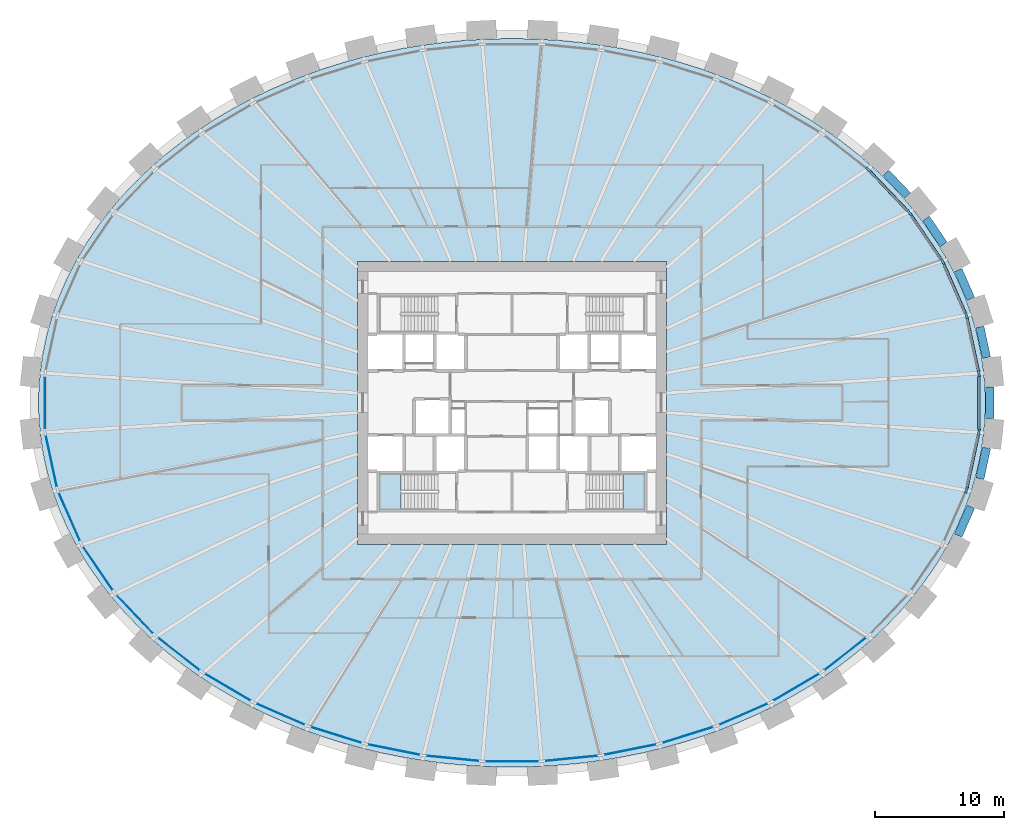
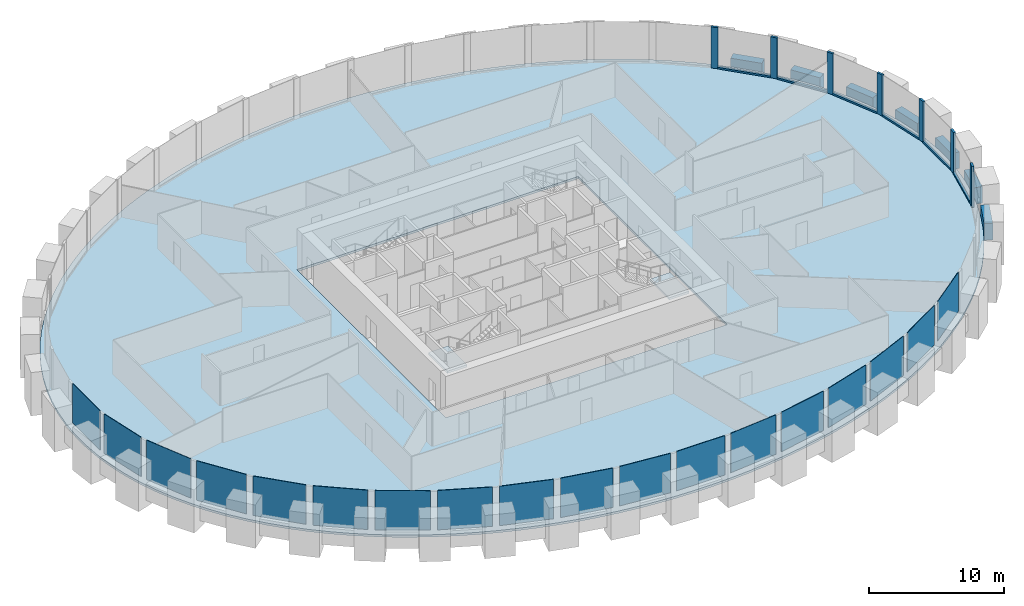
# One storey, part 4 of 10: 18 plates, 13 members, 7 beams, 3 slabs, 3 elements without a shape of their own.
"""IFC4 building model written with IfcOpenShell, lengths in metres."""

from ifc_helpers import new_model, si_unit, direction, frame, origin, origin_2d, place, context, subcontext, project, spatial, polyline, rectangle, outline, extrude, source, transform, mapped, material, layer, layer_set, material_profile, profile_set, type_object, element, aggregate, save


model = new_model("IFC4")

# Units and contexts
model_context = context("Model", 3, precision=1e-05, world=origin(), true_north=direction((0.0, 1.0)))
body_context = subcontext(model_context, "Body", "Model", "MODEL_VIEW")
ifc_project = project(units=[si_unit("LENGTHUNIT", "METRE"), si_unit("AREAUNIT", "SQUARE_METRE"), si_unit("VOLUMEUNIT", "CUBIC_METRE"), si_unit("PLANEANGLEUNIT", "RADIAN"), si_unit("MASSUNIT", "GRAM", prefix="KILO")], contexts=[model_context])

# Site, building, storey
site_placement = place(None, origin())
site = spatial("IfcSite", under=ifc_project, at=site_placement, CompositionType="ELEMENT")
building_placement = place(site_placement, origin())
building = spatial("IfcBuilding", under=site, at=building_placement, Name="Embergate Tower", CompositionType="ELEMENT")
storey_placement = place(building_placement, frame((0.0, 0.0, 163.800048828125)))
storey = spatial("IfcBuildingStorey", under=building, at=storey_placement, Name="L36", CompositionType="ELEMENT", Elevation=163.800048828125)

# Beams
ifc_material_1 = material(Name="Concrete C70", Category="concrete")
ifc_material_profile_1 = material_profile(ifc_material_1, rectangle(XDim=0.64990234375, YDim=1.5, at=origin_2d()), Name="RC 650x1500")
ifc_profile_set_1 = profile_set([ifc_material_profile_1], Name="Concrete C70")
beam_type = type_object("IfcBeamType", Name="Spandrel beam RC 650x1500 C70", PredefinedType="BEAM", material=ifc_profile_set_1)
shared_shape_1 = source(origin(), body_context, "Body", "SweptSolid", [
    extrude(rectangle(XDim=0.64990234375, YDim=1.5, at=origin_2d()), origin(), (0.0, 0.0, 1.0), 2.439697265625),
])
for number, where, z_axis, x_axis, name in (
    (1, (36.87109375, 3.508056640625, 0.0), (-0.210738503873, 0.977542471193, 0.0), (-0.977542471193, -0.210738503873, 0.0), "SPN-L36-00"),
    (2, (36.35693359375, -5.89306640625, 0.0), (0.210738503873, 0.977542471193, 0.0), (-0.977542471193, 0.210738503873, 0.0), "SPN-L36-42"),
):
    element("IfcBeam", number, at=place(storey_placement, frame(where, z_axis=z_axis, x_axis=x_axis)), inside=storey, type_object=beam_type, Name=name, PredefinedType="BEAM", context=body_context, shape_type="MappedRepresentation", body=[
        mapped(shared_shape_1, transform((0.0, 0.0, 0.0))),
    ])
shared_shape_2 = source(origin(), body_context, "Body", "SweptSolid", [
    extrude(rectangle(XDim=0.64990234375, YDim=1.5, at=origin_2d()), origin(), (0.0, 0.0, 1.0), 2.436279296875),
])
for number, where, z_axis, x_axis, name in (
    (3, (35.64990234375, 8.0810546875, 0.0), (-0.401838418441, 0.915710590452, 0.0), (-0.915710590452, -0.401838418441, 0.0), "SPN-L36-01"),
    (4, (34.6708984375, -10.31201171875, 0.0), (0.401838418441, 0.915710590452, 0.0), (-0.915710590452, 0.401838418441, 0.0), "SPN-L36-41"),
):
    element("IfcBeam", number, at=place(storey_placement, frame(where, z_axis=z_axis, x_axis=x_axis)), inside=storey, type_object=beam_type, Name=name, PredefinedType="BEAM", context=body_context, shape_type="MappedRepresentation", body=[
        mapped(shared_shape_2, transform((0.0, 0.0, 0.0))),
    ])
shared_shape_3 = source(origin(), body_context, "Body", "SweptSolid", [
    extrude(rectangle(XDim=0.64990234375, YDim=1.5, at=origin_2d()), origin(), (0.0, 0.0, 1.0), 2.42724609375),
])
beam_1_placement = place(storey_placement, frame((33.5400390625, 12.31494140625, 0.0), z_axis=(-0.562359541569, 0.826892826191, 0.0), x_axis=(-0.826892826191, -0.562359541569, 0.0)))
element("IfcBeam", 5, at=beam_1_placement, inside=storey, type_object=beam_type, Name="SPN-L36-02", PredefinedType="BEAM", context=body_context, shape_type="MappedRepresentation", body=[
    mapped(shared_shape_3, transform((0.0, 0.0, 0.0))),
])
shared_shape_4 = source(origin(), body_context, "Body", "SweptSolid", [
    extrude(rectangle(XDim=0.64990234375, YDim=1.5, at=origin_2d()), origin(), (0.0, 0.0, 1.0), 2.421630859375),
])
beam_2_placement = place(storey_placement, frame((30.72998046875, 16.111083984375, 0.0), z_axis=(-0.68996725843, 0.723840577955, 0.0), x_axis=(-0.723840577955, -0.68996725843, 0.0)))
element("IfcBeam", 6, at=beam_2_placement, inside=storey, type_object=beam_type, Name="SPN-L36-03", PredefinedType="BEAM", context=body_context, shape_type="MappedRepresentation", body=[
    mapped(shared_shape_4, transform((0.0, 0.0, 0.0))),
])
shared_shape_5 = source(origin(), body_context, "Body", "SweptSolid", [
    extrude(rectangle(XDim=0.64990234375, YDim=1.5, at=origin_2d()), origin(), (0.0, 0.0, 1.0), 2.44189453125),
])
beam_3_placement = place(storey_placement, frame((37.114013671875, -1.220947265625, 0.0), z_axis=(0.0, 1.0, 0.0), x_axis=(-1.0, 0.0, 0.0)))
element("IfcBeam", 7, at=beam_3_placement, inside=storey, type_object=beam_type, Name="SPN-L36-43", PredefinedType="BEAM", context=body_context, shape_type="MappedRepresentation", body=[
    mapped(shared_shape_5, transform((0.0, 0.0, 0.0))),
])

# Curtain wall, members
ifc_material_2 = material(Name="Aluminium and glass", Category="aluminium")
curtain_wall_type = type_object("IfcCurtainWallType", Name="Recessed office glazing", PredefinedType="NOTDEFINED", material=ifc_material_2)
curtain_wall_placement = place(storey_placement, origin())
curtain_wall = element("IfcCurtainWall", 8, at=curtain_wall_placement, inside=storey, type_object=curtain_wall_type, Name="Recessed office glazing ring", ObjectType="RECESSED OFFICE GLAZING", PredefinedType="USERDEFINED")
ifc_material_3 = material(Name="Aluminium, thermally broken", Category="aluminium")
ifc_material_profile_2 = material_profile(ifc_material_3, rectangle(XDim=0.179931640625, YDim=0.52001953125, at=origin_2d()), Name="AL 520x180")
ifc_profile_set_2 = profile_set([ifc_material_profile_2], Name="Aluminium, thermally broken")
member_type_1 = type_object("IfcMemberType", Name="Office mullion", PredefinedType="MULLION", material=ifc_profile_set_2)
shared_shape_6 = source(origin(), body_context, "Body", "SweptSolid", [
    extrude(rectangle(XDim=0.179931640625, YDim=0.52001953125, at=origin_2d()), origin(), (0.0, 0.0, 1.0), 3.699951171875),
])
member_1_placement = place(storey_placement, frame((36.281494140625, 2.287841796875, 0.0), z_axis=(0.0, 0.0, 1.0), x_axis=(-0.994384954736, -0.105823257345, 0.0)))
member_1 = element("IfcMember", 9, at=member_1_placement, type_object=member_type_1, Name="CW mullion 1", PredefinedType="MULLION", context=body_context, shape_type="MappedRepresentation", body=[
    mapped(shared_shape_6, transform((0.0, 0.0, 0.0))),
])
member_2_placement = place(storey_placement, frame((35.318115234375, 6.763427734375, 0.0), z_axis=(0.0, 0.0, 1.0), x_axis=(-0.951497797992, -0.307655554826, 0.0)))
member_2 = element("IfcMember", 10, at=member_2_placement, type_object=member_type_1, Name="CW mullion 2", PredefinedType="MULLION", context=body_context, shape_type="MappedRepresentation", body=[
    mapped(shared_shape_6, transform((0.0, 0.0, 0.0))),
])
member_3_placement = place(storey_placement, frame((33.4765625, 10.96240234375, 0.0), z_axis=(0.0, 0.0, 1.0), x_axis=(-0.875001895832, -0.484119491748, 0.0)))
member_3 = element("IfcMember", 11, at=member_3_placement, type_object=member_type_1, Name="CW mullion 3", PredefinedType="MULLION", context=body_context, shape_type="MappedRepresentation", body=[
    mapped(shared_shape_6, transform((0.0, 0.0, 0.0))),
])
member_4_placement = place(storey_placement, frame((30.89306640625, 14.76123046875, 0.0), z_axis=(0.0, 0.0, 1.0), x_axis=(-0.777872564355, -0.628422050555, 0.0)))
member_4 = element("IfcMember", 12, at=member_4_placement, type_object=member_type_1, Name="CW mullion 4", PredefinedType="MULLION", context=body_context, shape_type="MappedRepresentation", body=[
    mapped(shared_shape_6, transform((0.0, 0.0, 0.0))),
])
member_5_placement = place(storey_placement, frame((27.716796875, 18.092041015625, 0.0), z_axis=(0.0, 0.0, 1.0), x_axis=(-0.671226533956, -0.741252278319, 0.0)))
member_5 = element("IfcMember", 13, at=member_5_placement, type_object=member_type_1, Name="CW mullion 5", PredefinedType="MULLION", context=body_context, shape_type="MappedRepresentation", body=[
    mapped(shared_shape_6, transform((0.0, 0.0, 0.0))),
])
member_6_placement = place(storey_placement, frame((35.318115234375, -6.763427734375, 0.0), z_axis=(0.0, 0.0, 1.0), x_axis=(-0.951497797992, 0.307655554826, 0.0)))
member_6 = element("IfcMember", 14, at=member_6_placement, type_object=member_type_1, Name="CW mullion 43", PredefinedType="MULLION", context=body_context, shape_type="MappedRepresentation", body=[
    mapped(shared_shape_6, transform((0.0, 0.0, 0.0))),
])
member_7_placement = place(storey_placement, frame((36.281494140625, -2.287841796875, 0.0), z_axis=(0.0, 0.0, 1.0), x_axis=(-0.994384954736, 0.105823257345, 0.0)))
member_7 = element("IfcMember", 15, at=member_7_placement, type_object=member_type_1, Name="CW mullion 44", PredefinedType="MULLION", context=body_context, shape_type="MappedRepresentation", body=[
    mapped(shared_shape_6, transform((0.0, 0.0, 0.0))),
])
ifc_material_profile_3 = material_profile(ifc_material_3, rectangle(XDim=0.179931640625, YDim=0.14990234375, at=origin_2d()), Name="AL 150x180")
ifc_profile_set_3 = profile_set([ifc_material_profile_3], Name="Aluminium, thermally broken")
member_type_2 = type_object("IfcMemberType", Name="Office sill transom", PredefinedType="USERDEFINED", material=ifc_profile_set_3)
shared_shape_7 = source(origin(), body_context, "Body", "SweptSolid", [
    extrude(rectangle(XDim=0.179931640625, YDim=0.14990234375, at=origin_2d()), origin(), (0.0, 0.0, 1.0), 4.05810546875),
])
member_8_placement = place(storey_placement, frame((36.226806640625, 2.5419921875, 0.074951171875), z_axis=(-0.210441087969, 0.977606540738, 0.0), x_axis=(-0.977606540738, -0.210441087969, 0.0)))
member_8 = element("IfcMember", 16, at=member_8_placement, type_object=member_type_2, Name="CW transom 1.1", ObjectType="TRANSOM", PredefinedType="USERDEFINED", context=body_context, shape_type="MappedRepresentation", body=[
    mapped(shared_shape_7, transform((0.0, 0.0, 0.0))),
])
member_9_placement = place(storey_placement, frame((35.372802734375, -6.50927734375, 0.074951171875), z_axis=(0.210441087969, 0.977606540738, 0.0), x_axis=(-0.977606540738, 0.210441087969, 0.0)))
member_9 = element("IfcMember", 17, at=member_9_placement, type_object=member_type_2, Name="CW transom 43.1", ObjectType="TRANSOM", PredefinedType="USERDEFINED", context=body_context, shape_type="MappedRepresentation", body=[
    mapped(shared_shape_7, transform((0.0, 0.0, 0.0))),
])
shared_shape_8 = source(origin(), body_context, "Body", "SweptSolid", [
    extrude(rectangle(XDim=0.179931640625, YDim=0.14990234375, at=origin_2d()), origin(), (0.0, 0.0, 1.0), 4.06494140625),
])
member_10_placement = place(storey_placement, frame((35.213623046875, 7.001708984375, 0.074951171875), z_axis=(-0.401675633899, 0.91578200743, 0.0), x_axis=(-0.91578200743, -0.401675633899, 0.0)))
member_10 = element("IfcMember", 18, at=member_10_placement, type_object=member_type_2, Name="CW transom 2.1", ObjectType="TRANSOM", PredefinedType="USERDEFINED", context=body_context, shape_type="MappedRepresentation", body=[
    mapped(shared_shape_8, transform((0.0, 0.0, 0.0))),
])
shared_shape_9 = source(origin(), body_context, "Body", "SweptSolid", [
    extrude(rectangle(XDim=0.179931640625, YDim=0.14990234375, at=origin_2d()), origin(), (0.0, 0.0, 1.0), 4.073974609375),
])
member_11_placement = place(storey_placement, frame((33.330322265625, 11.177490234375, 0.074951171875), z_axis=(-0.562337885641, 0.826907553704, 0.0), x_axis=(-0.826907553704, -0.562337885641, 0.0)))
member_11 = element("IfcMember", 19, at=member_11_placement, type_object=member_type_2, Name="CW transom 3.1", ObjectType="TRANSOM", PredefinedType="USERDEFINED", context=body_context, shape_type="MappedRepresentation", body=[
    mapped(shared_shape_9, transform((0.0, 0.0, 0.0))),
])
shared_shape_10 = source(origin(), body_context, "Body", "SweptSolid", [
    extrude(rectangle(XDim=0.179931640625, YDim=0.14990234375, at=origin_2d()), origin(), (0.0, 0.0, 1.0), 4.082763671875),
])
member_12_placement = place(storey_placement, frame((30.713623046875, 14.949462890625, 0.074951171875), z_axis=(-0.690134333582, 0.723681284552, 0.0), x_axis=(-0.723681284552, -0.690134333582, 0.0)))
member_12 = element("IfcMember", 20, at=member_12_placement, type_object=member_type_2, Name="CW transom 4.1", ObjectType="TRANSOM", PredefinedType="USERDEFINED", context=body_context, shape_type="MappedRepresentation", body=[
    mapped(shared_shape_10, transform((0.0, 0.0, 0.0))),
])
shared_shape_11 = source(origin(), body_context, "Body", "SweptSolid", [
    extrude(rectangle(XDim=0.179931640625, YDim=0.14990234375, at=origin_2d()), origin(), (0.0, 0.0, 1.0), 4.0556640625),
])
member_13_placement = place(storey_placement, frame((36.281494140625, -2.02783203125, 0.074951171875), z_axis=(0.0, 1.0, 0.0), x_axis=(-1.0, 0.0, 0.0)))
member_13 = element("IfcMember", 21, at=member_13_placement, type_object=member_type_2, Name="CW transom 44.1", ObjectType="TRANSOM", PredefinedType="USERDEFINED", context=body_context, shape_type="MappedRepresentation", body=[
    mapped(shared_shape_11, transform((0.0, 0.0, 0.0))),
])

# Slab
ifc_material_4 = material(Name="Concrete C40", Category="concrete")
ifc_layer_1 = layer(ifc_material_4, 0.199951171875)
ifc_layer_set_1 = layer_set([ifc_layer_1], Name="Concrete C40")
slab_type_1 = type_object("IfcSlabType", Name="Composite floor slab C40 200", PredefinedType="FLOOR", material=ifc_layer_set_1)
shared_shape_12 = source(origin(), body_context, "Body", "SweptSolid", [
    extrude(outline(polyline([(0.0, 0.0), (1.55615234375, 0.0), (3.111083984375, 0.051025390625), (4.6669921875, 0.153076171875), (6.215087890625, 0.30517578125), (7.754150390625, 0.507080078125), (9.296142578125, 0.76318359375), (10.822021484375, 1.069091796875), (12.3291015625, 1.425048828125), (13.840087890625, 1.837158203125), (15.3251953125, 2.300048828125), (16.782958984375, 2.81201171875), (18.244140625, 3.38623046875), (19.670166015625, 4.010009765625), (21.05810546875, 4.68115234375), (22.445068359375, 5.422119140625), (23.7861328125, 6.210205078125), (25.0791015625, 7.045166015625), (26.363037109375, 7.95703125), (27.590087890625, 8.9140625), (28.756103515625, 9.9150390625), (29.900146484375, 10.9990234375), (30.97412109375, 12.125), (31.97412109375, 13.2900390625), (32.93310546875, 14.5400390625), (33.80712890625, 15.826171875), (34.594970703125, 17.14501953125), (35.317138671875, 18.541015625), (35.942138671875, 19.965087890625), (36.467041015625, 21.4130859375), (36.901123046875, 22.917236328125), (37.22802734375, 24.43603515625), (37.447021484375, 25.968017578125), (37.55810546875, 27.52001953125), (37.55810546875, 29.07421875), (37.447021484375, 30.626220703125), (37.22802734375, 32.158203125), (36.901123046875, 33.677001953125), (36.467041015625, 35.18115234375), (35.942138671875, 36.629150390625), (35.317138671875, 38.05322265625), (34.594970703125, 39.44921875), (33.80712890625, 40.76806640625), (32.93310546875, 42.05419921875), (31.97412109375, 43.30419921875), (30.97412109375, 44.46923828125), (29.900146484375, 45.59521484375), (28.756103515625, 46.67919921875), (27.590087890625, 47.68017578125), (26.363037109375, 48.63720703125), (25.0791015625, 49.549072265625), (23.7861328125, 50.384033203125), (22.445068359375, 51.172119140625), (21.05810546875, 51.9130859375), (19.670166015625, 52.584228515625), (18.244140625, 53.2080078125), (16.782958984375, 53.7822265625), (15.3251953125, 54.294189453125), (13.840087890625, 54.757080078125), (12.3291015625, 55.169189453125), (10.822021484375, 55.525146484375), (9.296142578125, 55.8310546875), (7.754150390625, 56.087158203125), (6.215087890625, 56.2890625), (4.6669921875, 56.441162109375), (3.111083984375, 56.543212890625), (1.55615234375, 56.59423828125), (0.0, 56.59423828125), (-1.554931640625, 56.543212890625), (-3.11083984375, 56.441162109375), (-4.658935546875, 56.2890625), (-6.197998046875, 56.087158203125), (-7.739990234375, 55.8310546875), (-9.265869140625, 55.525146484375), (-10.77294921875, 55.169189453125), (-12.283935546875, 54.757080078125), (-13.76904296875, 54.294189453125), (-15.226806640625, 53.7822265625), (-16.68798828125, 53.2080078125), (-18.114013671875, 52.584228515625), (-19.501953125, 51.9130859375), (-20.888916015625, 51.172119140625), (-22.22998046875, 50.384033203125), (-23.52294921875, 49.549072265625), (-24.806884765625, 48.63720703125), (-26.033935546875, 47.68017578125), (-27.199951171875, 46.67919921875), (-28.343994140625, 45.59521484375), (-29.41796875, 44.46923828125), (-30.41796875, 43.30419921875), (-31.376953125, 42.05419921875), (-32.2509765625, 40.76806640625), (-33.038818359375, 39.44921875), (-33.760986328125, 38.05322265625), (-34.385986328125, 36.629150390625), (-34.910888671875, 35.18115234375), (-35.344970703125, 33.677001953125), (-35.671875, 32.158203125), (-35.890869140625, 30.626220703125), (-36.001953125, 29.07421875), (-36.001953125, 27.52001953125), (-35.890869140625, 25.968017578125), (-35.671875, 24.43603515625), (-35.344970703125, 22.917236328125), (-34.910888671875, 21.4130859375), (-34.385986328125, 19.965087890625), (-33.760986328125, 18.541015625), (-33.038818359375, 17.14501953125), (-32.2509765625, 15.826171875), (-31.376953125, 14.5400390625), (-30.41796875, 13.2900390625), (-29.41796875, 12.125), (-28.343994140625, 10.9990234375), (-27.199951171875, 9.9150390625), (-26.033935546875, 8.9140625), (-24.806884765625, 7.95703125), (-23.52294921875, 7.045166015625), (-22.22998046875, 6.210205078125), (-20.888916015625, 5.422119140625), (-19.501953125, 4.68115234375), (-18.114013671875, 4.010009765625), (-16.68798828125, 3.38623046875), (-15.226806640625, 2.81201171875), (-13.76904296875, 2.300048828125), (-12.283935546875, 1.837158203125), (-10.77294921875, 1.425048828125), (-9.265869140625, 1.069091796875), (-7.739990234375, 0.76318359375), (-6.197998046875, 0.507080078125), (-4.658935546875, 0.30517578125), (-3.11083984375, 0.153076171875), (-1.554931640625, 0.051025390625), (0.0, 0.0)]), holes=[polyline([(-11.221923828125, 17.297119140625), (-11.221923828125, 39.297119140625), (12.778076171875, 39.297119140625), (12.778076171875, 17.297119140625), (-11.221923828125, 17.297119140625)])]), origin(), (0.0, 0.0, 1.0), 0.199951171875),
])
slab_1_placement = place(storey_placement, frame((-0.778076171875, -28.297119140625, -0.199951171875)))
element("IfcSlab", 22, at=slab_1_placement, inside=storey, type_object=slab_type_1, Name="SLB-L36-00", PredefinedType="FLOOR", context=body_context, shape_type="MappedRepresentation", body=[
    mapped(shared_shape_12, transform((0.0, 0.0, 0.0))),
])

# Plate
ifc_material_5 = material(Name="Triple glazing, low-emissivity coating", Category="glass")
ifc_layer_2 = layer(ifc_material_5, 0.035888671875)
ifc_layer_set_2 = layer_set([ifc_layer_2], Name="Triple glazing, low-emissivity coating")
plate_type = type_object("IfcPlateType", Name="Office glazing unit", PredefinedType="CURTAIN_PANEL", material=ifc_layer_set_2)
shared_shape_13 = source(origin(), body_context, "Body", "SweptSolid", [
    extrude(rectangle(XDim=4.05810546875, YDim=0.035888671875, at=origin_2d()), origin(), (0.0, 0.0, 1.0), 3.550048828125),
])
plate_1_placement = place(storey_placement, frame((-35.7998046875, -4.525634765625, 0.14990234375), z_axis=(0.0, 0.0, 1.0), x_axis=(0.210398391177, -0.97761573074, 0.0)))
plate_1 = element("IfcPlate", 23, at=plate_1_placement, type_object=plate_type, Name="CW panel 23.1", PredefinedType="CURTAIN_PANEL", context=body_context, shape_type="MappedRepresentation", body=[
    mapped(shared_shape_13, transform((0.0, 0.0, 0.0))),
])

shared_shape_14 = source(origin(), body_context, "Body", "SweptSolid", [
    extrude(rectangle(XDim=4.065185546875, YDim=0.035888671875, at=origin_2d()), origin(), (0.0, 0.0, 1.0), 3.550048828125),
])
plate_2_placement = place(storey_placement, frame((-34.397216796875, -8.863037109375, 0.14990234375), z_axis=(0.0, 0.0, 1.0), x_axis=(0.401652101157, -0.91579232888, 0.0)))
plate_2 = element("IfcPlate", 24, at=plate_2_placement, type_object=plate_type, Name="CW panel 24.1", PredefinedType="CURTAIN_PANEL", context=body_context, shape_type="MappedRepresentation", body=[
    mapped(shared_shape_14, transform((0.0, 0.0, 0.0))),
])

shared_shape_15 = source(origin(), body_context, "Body", "SweptSolid", [
    extrude(rectangle(XDim=4.073974609375, YDim=0.035888671875, at=origin_2d()), origin(), (0.0, 0.0, 1.0), 3.550048828125),
])
plate_3_placement = place(storey_placement, frame((-32.184814453125, -12.86181640625, 0.14990234375), z_axis=(0.0, 0.0, 1.0), x_axis=(0.562341741915, -0.826904931234, 0.0)))
plate_3 = element("IfcPlate", 25, at=plate_3_placement, type_object=plate_type, Name="CW panel 25.1", PredefinedType="CURTAIN_PANEL", context=body_context, shape_type="MappedRepresentation", body=[
    mapped(shared_shape_15, transform((0.0, 0.0, 0.0))),
])

shared_shape_16 = source(origin(), body_context, "Body", "SweptSolid", [
    extrude(rectangle(XDim=4.08251953125, YDim=0.035888671875, at=origin_2d()), origin(), (0.0, 0.0, 1.0), 3.550048828125),
])
plate_4_placement = place(storey_placement, frame((-29.304931640625, -16.4267578125, 0.14990234375), z_axis=(0.0, 0.0, 1.0), x_axis=(0.690135047526, -0.723680603703, 0.0)))
plate_4 = element("IfcPlate", 26, at=plate_4_placement, type_object=plate_type, Name="CW panel 26.1", PredefinedType="CURTAIN_PANEL", context=body_context, shape_type="MappedRepresentation", body=[
    mapped(shared_shape_16, transform((0.0, 0.0, 0.0))),
])

shared_shape_17 = source(origin(), body_context, "Body", "SweptSolid", [
    extrude(rectangle(XDim=4.090087890625, YDim=0.035888671875, at=origin_2d()), origin(), (0.0, 0.0, 1.0), 3.550048828125),
])
plate_5_placement = place(storey_placement, frame((-25.899658203125, -19.510498046875, 0.14990234375), z_axis=(0.0, 0.0, 1.0), x_axis=(0.788320119254, -0.615265300158, 0.0)))
plate_5 = element("IfcPlate", 27, at=plate_5_placement, type_object=plate_type, Name="CW panel 27.1", PredefinedType="CURTAIN_PANEL", context=body_context, shape_type="MappedRepresentation", body=[
    mapped(shared_shape_17, transform((0.0, 0.0, 0.0))),
])

plate_6_placement = place(storey_placement, frame((25.899658203125, -19.510498046875, 0.14990234375), z_axis=(0.0, 0.0, 1.0), x_axis=(0.788320119254, 0.615265300158, 0.0)))
plate_6 = element("IfcPlate", 28, at=plate_6_placement, type_object=plate_type, Name="CW panel 39.1", PredefinedType="CURTAIN_PANEL", context=body_context, shape_type="MappedRepresentation", body=[
    mapped(shared_shape_17, transform((0.0, 0.0, 0.0))),
])

shared_shape_18 = source(origin(), body_context, "Body", "SweptSolid", [
    extrude(rectangle(XDim=4.09619140625, YDim=0.035888671875, at=origin_2d()), origin(), (0.0, 0.0, 1.0), 3.550048828125),
])
plate_7_placement = place(storey_placement, frame((-22.0927734375, -22.098388671875, 0.14990234375), z_axis=(0.0, 0.0, 1.0), x_axis=(0.862053167811, -0.50681785275, 0.0)))
plate_7 = element("IfcPlate", 29, at=plate_7_placement, type_object=plate_type, Name="CW panel 28.1", PredefinedType="CURTAIN_PANEL", context=body_context, shape_type="MappedRepresentation", body=[
    mapped(shared_shape_18, transform((0.0, 0.0, 0.0))),
])

plate_8_placement = place(storey_placement, frame((22.0927734375, -22.098388671875, 0.14990234375), z_axis=(0.0, 0.0, 1.0), x_axis=(0.862053167811, 0.50681785275, 0.0)))
plate_8 = element("IfcPlate", 30, at=plate_8_placement, type_object=plate_type, Name="CW panel 38.1", PredefinedType="CURTAIN_PANEL", context=body_context, shape_type="MappedRepresentation", body=[
    mapped(shared_shape_18, transform((0.0, 0.0, 0.0))),
])

shared_shape_19 = source(origin(), body_context, "Body", "SweptSolid", [
    extrude(rectangle(XDim=4.1005859375, YDim=0.035888671875, at=origin_2d()), origin(), (0.0, 0.0, 1.0), 3.550048828125),
])
plate_9_placement = place(storey_placement, frame((-17.986328125, -24.193603515625, 0.14990234375), z_axis=(0.0, 0.0, 1.0), x_axis=(0.916236211741, -0.400638495772, 0.0)))
plate_9 = element("IfcPlate", 31, at=plate_9_placement, type_object=plate_type, Name="CW panel 29.1", PredefinedType="CURTAIN_PANEL", context=body_context, shape_type="MappedRepresentation", body=[
    mapped(shared_shape_19, transform((0.0, 0.0, 0.0))),
])

plate_10_placement = place(storey_placement, frame((17.986328125, -24.193603515625, 0.14990234375), z_axis=(0.0, 0.0, 1.0), x_axis=(0.916236211741, 0.400638495772, 0.0)))
plate_10 = element("IfcPlate", 32, at=plate_10_placement, type_object=plate_type, Name="CW panel 37.1", PredefinedType="CURTAIN_PANEL", context=body_context, shape_type="MappedRepresentation", body=[
    mapped(shared_shape_19, transform((0.0, 0.0, 0.0))),
])

shared_shape_20 = source(origin(), body_context, "Body", "SweptSolid", [
    extrude(rectangle(XDim=4.10400390625, YDim=0.035888671875, at=origin_2d()), origin(), (0.0, 0.0, 1.0), 3.550048828125),
])
plate_11_placement = place(storey_placement, frame((-13.662109375, -25.806640625, 0.14990234375), z_axis=(0.0, 0.0, 1.0), x_axis=(0.954772217174, -0.297338213676, 0.0)))
plate_11 = element("IfcPlate", 33, at=plate_11_placement, type_object=plate_type, Name="CW panel 30.1", PredefinedType="CURTAIN_PANEL", context=body_context, shape_type="MappedRepresentation", body=[
    mapped(shared_shape_20, transform((0.0, 0.0, 0.0))),
])

plate_12_placement = place(storey_placement, frame((13.662109375, -25.806640625, 0.14990234375), z_axis=(0.0, 0.0, 1.0), x_axis=(0.954772217174, 0.297338213676, 0.0)))
plate_12 = element("IfcPlate", 34, at=plate_12_placement, type_object=plate_type, Name="CW panel 36.1", PredefinedType="CURTAIN_PANEL", context=body_context, shape_type="MappedRepresentation", body=[
    mapped(shared_shape_20, transform((0.0, 0.0, 0.0))),
])

shared_shape_21 = source(origin(), body_context, "Body", "SweptSolid", [
    extrude(rectangle(XDim=4.106201171875, YDim=0.035888671875, at=origin_2d()), origin(), (0.0, 0.0, 1.0), 3.550048828125),
])
plate_13_placement = place(storey_placement, frame((-9.18701171875, -26.948974609375, 0.14990234375), z_axis=(0.0, 0.0, 1.0), x_axis=(0.980475907409, -0.196639250889, 0.0)))
plate_13 = element("IfcPlate", 35, at=plate_13_placement, type_object=plate_type, Name="CW panel 31.1", PredefinedType="CURTAIN_PANEL", context=body_context, shape_type="MappedRepresentation", body=[
    mapped(shared_shape_21, transform((0.0, 0.0, 0.0))),
])

plate_14_placement = place(storey_placement, frame((9.18701171875, -26.948974609375, 0.14990234375), z_axis=(0.0, 0.0, 1.0), x_axis=(0.980475907409, 0.196639250889, 0.0)))
plate_14 = element("IfcPlate", 36, at=plate_14_placement, type_object=plate_type, Name="CW panel 35.1", PredefinedType="CURTAIN_PANEL", context=body_context, shape_type="MappedRepresentation", body=[
    mapped(shared_shape_21, transform((0.0, 0.0, 0.0))),
])

shared_shape_22 = source(origin(), body_context, "Body", "SweptSolid", [
    extrude(rectangle(XDim=4.107421875, YDim=0.035888671875, at=origin_2d()), origin(), (0.0, 0.0, 1.0), 3.550048828125),
])
plate_15_placement = place(storey_placement, frame((-4.616455078125, -27.630126953125, 0.14990234375), z_axis=(0.0, 0.0, 1.0), x_axis=(0.995203184788, -0.097829550688, 0.0)))
plate_15 = element("IfcPlate", 37, at=plate_15_placement, type_object=plate_type, Name="CW panel 32.1", PredefinedType="CURTAIN_PANEL", context=body_context, shape_type="MappedRepresentation", body=[
    mapped(shared_shape_22, transform((0.0, 0.0, 0.0))),
])

plate_16_placement = place(storey_placement, frame((4.616455078125, -27.630126953125, 0.14990234375), z_axis=(0.0, 0.0, 1.0), x_axis=(0.995203184788, 0.097829550688, 0.0)))
plate_16 = element("IfcPlate", 38, at=plate_16_placement, type_object=plate_type, Name="CW panel 34.1", PredefinedType="CURTAIN_PANEL", context=body_context, shape_type="MappedRepresentation", body=[
    mapped(shared_shape_22, transform((0.0, 0.0, 0.0))),
])

shared_shape_23 = source(origin(), body_context, "Body", "SweptSolid", [
    extrude(rectangle(XDim=4.10791015625, YDim=0.035888671875, at=origin_2d()), origin(), (0.0, 0.0, 1.0), 3.550048828125),
])
plate_17_placement = place(storey_placement, frame((0.0, -27.8564453125, 0.14990234375), z_axis=(0.0, 0.0, 1.0), x_axis=(1.0, 0.0, 0.0)))
plate_17 = element("IfcPlate", 39, at=plate_17_placement, type_object=plate_type, Name="CW panel 33.1", PredefinedType="CURTAIN_PANEL", context=body_context, shape_type="MappedRepresentation", body=[
    mapped(shared_shape_23, transform((0.0, 0.0, 0.0))),
])

shared_shape_24 = source(origin(), body_context, "Body", "SweptSolid", [
    extrude(rectangle(XDim=4.055419921875, YDim=0.035888671875, at=origin_2d()), origin(), (0.0, 0.0, 1.0), 3.550048828125),
])
plate_18_placement = place(storey_placement, frame((-36.281494140625, 0.0, 0.14990234375), z_axis=(0.0, 0.0, 1.0), x_axis=(0.0, -1.0, 0.0)))
plate_18 = element("IfcPlate", 40, at=plate_18_placement, type_object=plate_type, Name="CW panel 22.1", PredefinedType="CURTAIN_PANEL", context=body_context, shape_type="MappedRepresentation", body=[
    mapped(shared_shape_24, transform((0.0, 0.0, 0.0))),
])

aggregate(curtain_wall, [member_1, member_2, member_3, member_4, member_5, member_6, member_7, member_8, member_10, member_11, member_12, plate_18, plate_1, plate_2, plate_3, plate_4, plate_5, plate_7, plate_9, plate_11, plate_13, plate_15, plate_17, plate_16, plate_14, plate_12, plate_10, plate_8, plate_6, member_9, member_13])

# Stair, slab
ifc_material_6 = material(Name="Exit stair")
stair_type = type_object("IfcStairType", Name="Exit stair", PredefinedType="HALF_TURN_STAIR", material=ifc_material_6)
stair_1_placement = place(storey_placement, origin())
stair_1 = element("IfcStair", 41, at=stair_1_placement, inside=storey, type_object=stair_type, Name="L36 Exit stair 3", PredefinedType="HALF_TURN_STAIR")
ifc_layer_3 = layer(ifc_material_4, 0.199951171875)
ifc_layer_set_3 = layer_set([ifc_layer_3], Name="Concrete C40")
slab_type_2 = type_object("IfcSlabType", Name="Stair landing reinforced concrete", PredefinedType="LANDING", material=ifc_layer_set_3)
shared_shape_25 = source(origin(), body_context, "Body", "SweptSolid", [
    extrude(outline(polyline([(0.0, 0.0), (1.68994140625, 0.0), (1.68994140625, 2.800048828125), (0.0, 2.800048828125), (0.0, 0.0)])), origin(), (0.0, 0.0, 1.0), 0.199951171875),
])
slab_2_placement = place(storey_placement, frame((-10.300048828125, -8.300048828125, 1.75)))
slab_2 = element("IfcSlab", 42, at=slab_2_placement, type_object=slab_type_2, Name="ST3 landing 1", PredefinedType="LANDING", context=body_context, shape_type="MappedRepresentation", body=[
    mapped(shared_shape_25, transform((0.0, 0.0, 0.0))),
])
aggregate(stair_1, [slab_2])

stair_2_placement = place(storey_placement, origin())
stair_2 = element("IfcStair", 43, at=stair_2_placement, inside=storey, type_object=stair_type, Name="L36 Exit stair 4", PredefinedType="HALF_TURN_STAIR")
slab_3_placement = place(storey_placement, frame((8.610107421875, -8.300048828125, 1.75)))
slab_3 = element("IfcSlab", 44, at=slab_3_placement, type_object=slab_type_2, Name="ST4 landing 1", PredefinedType="LANDING", context=body_context, shape_type="MappedRepresentation", body=[
    mapped(shared_shape_25, transform((0.0, 0.0, 0.0))),
])
aggregate(stair_2, [slab_3])

save(model, "model.ifc")
